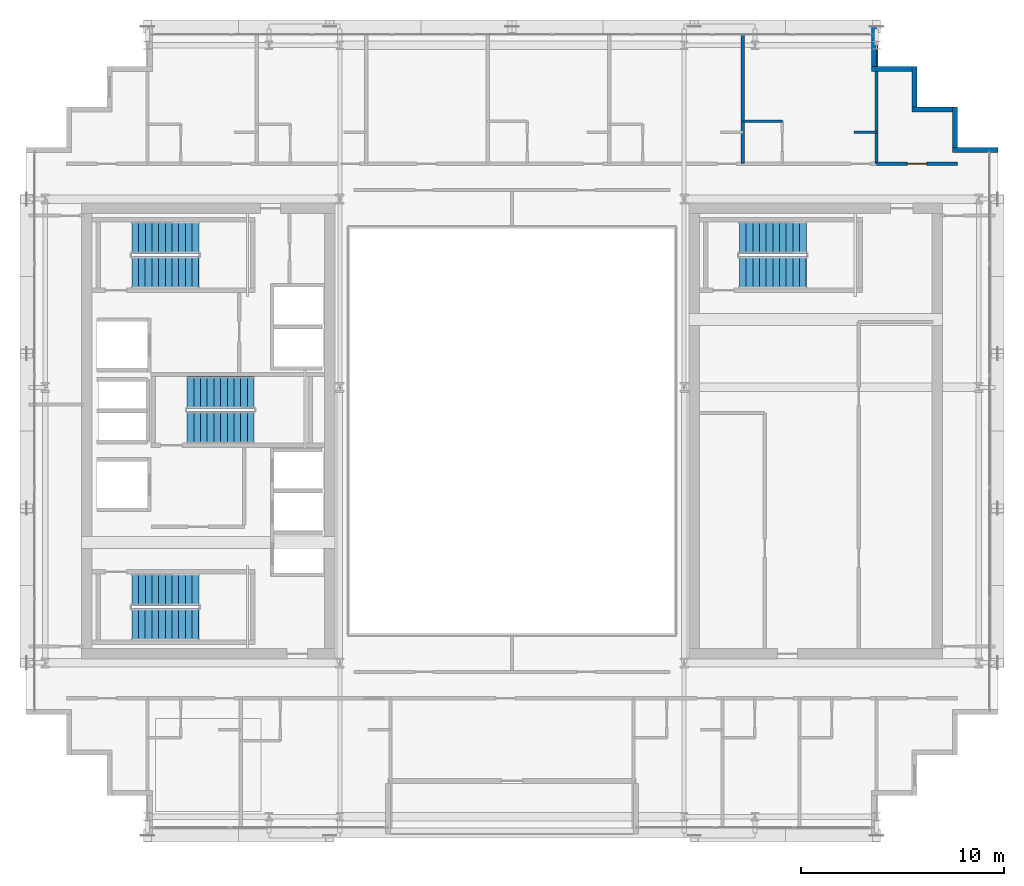
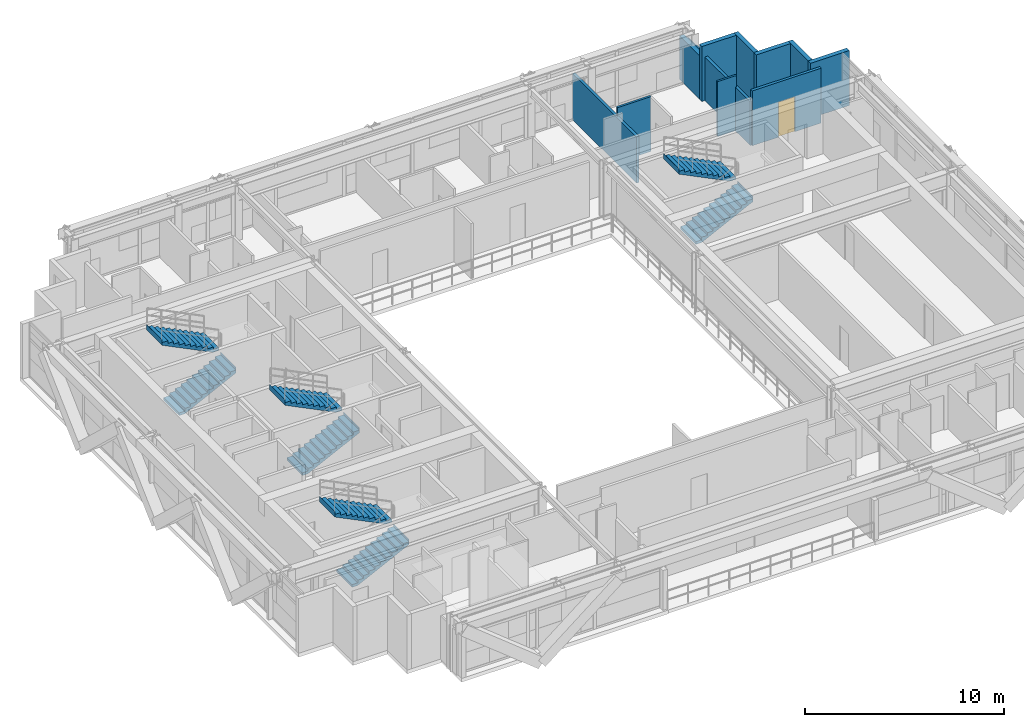
# One storey, part 28 of 32: 11 walls, 8 stair flights, 1 door, 1 opening, 4 elements without a shape of their own.
"""IFC4 building model written with IfcOpenShell, lengths in metres."""

from ifc_helpers import new_model, si_unit, direction, frame, frame_2d, origin, place, context, subcontext, project, spatial, polyline, rectangle, outline, extrude, source, transform, mapped, material, layer, layer_set, type_object, element, fill, aggregate, save


model = new_model("IFC4")

# Units and contexts
model_context = context("Model", 3, precision=1e-05, world=origin(), true_north=direction((0.0, 1.0)))
body_context = subcontext(model_context, "Body", "Model", "MODEL_VIEW")
ifc_project = project(units=[si_unit("LENGTHUNIT", "METRE"), si_unit("AREAUNIT", "SQUARE_METRE"), si_unit("VOLUMEUNIT", "CUBIC_METRE"), si_unit("PLANEANGLEUNIT", "RADIAN"), si_unit("MASSUNIT", "GRAM", prefix="KILO")], contexts=[model_context])

# Site, building, storey
site_placement = place(None, origin())
site = spatial("IfcSite", under=ifc_project, at=site_placement, CompositionType="ELEMENT")
building_placement = place(site_placement, origin())
building = spatial("IfcBuilding", under=site, at=building_placement, Name="Ocotamira Hotel", CompositionType="ELEMENT")
storey_placement = place(building_placement, frame((0.0, 0.0, 206.39990234375)))
storey = spatial("IfcBuildingStorey", under=building, at=storey_placement, Name="L52", CompositionType="ELEMENT", Elevation=206.39990234375)

# Walls
ifc_material_1 = material(Name="Precast concrete C45/55", Category="concrete")
ifc_layer_1 = layer(ifc_material_1, 0.25)
ifc_layer_set_1 = layer_set([ifc_layer_1], Name="Precast concrete C45/55")
wall_type_1 = type_object("IfcWallType", Name="WL-EXT-SER-250", PredefinedType="SOLIDWALL", material=ifc_layer_set_1)
wall_1_placement = place(storey_placement, frame((56.0, 39.875, 0.0), z_axis=(0.0, 0.0, 1.0), x_axis=(-1.0, 0.0, 0.0)))
element("IfcWall", 1, at=wall_1_placement, inside=storey, type_object=wall_type_1, Name="L52 Serrated Corner Wall 07", PredefinedType="SOLIDWALL", context=body_context, shape_type="SweptSolid", body=[
    extrude(rectangle(XDim=2.25, YDim=0.25, at=frame_2d((1.125, 0.0))), origin(), (0.0, 0.0, 1.0), 3.3701171875),
])
for number, where, z_axis, x_axis, name in (
    (2, (53.875, 40.0, 0.0), (0.0, 0.0, 1.0), (0.0, 1.0, 0.0), "L52 Serrated Corner Wall 08"),
    (3, (53.75, 41.875, 0.0), (0.0, 0.0, 1.0), (-1.0, 0.0, 0.0), "L52 Serrated Corner Wall 09"),
    (4, (51.875, 42.0, 0.0), (0.0, 0.0, 1.0), (0.0, 1.0, 0.0), "L52 Serrated Corner Wall 10"),
    (5, (51.75, 43.875, 0.0), (0.0, 0.0, 1.0), (-1.0, 0.0, 0.0), "L52 Serrated Corner Wall 11"),
):
    element("IfcWall", number, at=place(storey_placement, frame(where, z_axis=z_axis, x_axis=x_axis)), inside=storey, type_object=wall_type_1, Name=name, PredefinedType="SOLIDWALL", context=body_context, shape_type="SweptSolid", body=[
        extrude(rectangle(XDim=2.0, YDim=0.25, at=frame_2d((1.0, 0.0))), origin(), (0.0, 0.0, 1.0), 3.3701171875),
    ])
wall_2_placement = place(storey_placement, frame((49.875, 44.0, 0.0), z_axis=(0.0, 0.0, 1.0), x_axis=(0.0, 1.0, 0.0)))
element("IfcWall", 6, at=wall_2_placement, inside=storey, type_object=wall_type_1, Name="L52 Serrated Corner Wall 12", PredefinedType="SOLIDWALL", context=body_context, shape_type="SweptSolid", body=[
    extrude(rectangle(XDim=2.0, YDim=0.25, at=frame_2d((1.0, 0.0))), origin(), (0.0, 0.0, 1.0), 2.677001953125),
])

# Wall, opening, door
ifc_material_2 = material(Name="Acoustic double-layer fire gypsum board partition", Category="gypsum")
ifc_layer_2 = layer(ifc_material_2, 0.159912109375)
ifc_layer_set_2 = layer_set([ifc_layer_2], Name="Acoustic double-layer fire gypsum board partition")
wall_type_2 = type_object("IfcWallType", Name="WL-FIRE-160", PredefinedType="PARTITIONING", material=ifc_layer_set_2)
wall_3_placement = place(storey_placement, frame((50.0, 39.199951171875, 0.0), z_axis=(0.0, 0.0, 1.0), x_axis=(1.0, 0.0, 0.0)))
wall_3 = element("IfcWall", 7, at=wall_3_placement, inside=storey, type_object=wall_type_2, Name="L52 Interior Wall PW-L52-Z3E-CNE-CW", PredefinedType="PARTITIONING", context=body_context, shape_type="SweptSolid", body=[
    extrude(rectangle(XDim=4.0, YDim=0.159912109375, at=frame_2d((2.0, 0.0))), origin(), (0.0, 0.0, 1.0), 3.3701171875),
])
opening_placement = place(wall_3_placement, frame((1.52001953125, 0.0, 0.0)))
opening = element("IfcOpeningElement", 8, at=opening_placement, cuts=wall_3, Name="Opening D-SV4", PredefinedType="OPENING", context=body_context, shape_type="SweptSolid", body=[
    extrude(rectangle(XDim=0.9599609375, YDim=2.14990234375, at=frame_2d((0.47998046875, 1.074951171875))), frame((0.0, 0.08984375, 0.0), z_axis=(0.0, -1.0, 0.0), x_axis=(1.0, 0.0, 0.0)), (0.0, 0.0, 1.0), 0.179931640625),
])
ifc_material_3 = material(Name="Fire-rated accessible walnut salon door", Category="wood")
door_type = type_object("IfcDoorType", Name="DR-SERV-960", OperationType="NOTDEFINED", PredefinedType="DOOR", material=ifc_material_3)
shared_shape_1 = source(origin(), body_context, "Body", "SweptSolid", [
    extrude(rectangle(XDim=0.9599609375, YDim=2.14990234375, at=frame_2d((0.47998046875, 1.074951171875))), frame((0.0, 0.02490234375, 0.0), z_axis=(0.0, -1.0, 0.0), x_axis=(1.0, 0.0, 0.0)), (0.0, 0.0, 1.0), 0.050048828125),
])
door_placement = place(opening_placement, origin())
door = element("IfcDoor", 9, at=door_placement, inside=storey, type_object=door_type, Name="L52 Door ID-L52-Z3E-CNE-CD [ID-L52-Z3E-CNE-CD]", OperationType="SINGLE_SWING_LEFT", OverallHeight=2.14990234375, OverallWidth=0.9599609375, PredefinedType="DOOR", context=body_context, shape_type="MappedRepresentation", body=[
    mapped(shared_shape_1, transform((0.0, 0.0, 0.0), scale=1.0)),
])
fill(opening, door)

# Walls
ifc_material_4 = material(Name="Moisture-resistant en-suite tile and gypsum partition", Category="gypsum")
ifc_layer_3 = layer(ifc_material_4, 0.1201171875)
ifc_layer_set_3 = layer_set([ifc_layer_3], Name="Moisture-resistant en-suite tile and gypsum partition")
wall_type_3 = type_object("IfcWallType", Name="WL-PART-120", PredefinedType="PARTITIONING", material=ifc_layer_set_3)
wall_4_placement = place(storey_placement, frame((43.39990234375, 41.300048828125, 0.0), z_axis=(0.0, 0.0, 1.0), x_axis=(1.0, 0.0, 0.0)))
element("IfcWall", 10, at=wall_4_placement, inside=storey, type_object=wall_type_3, Name="L52 Interior Wall PW-L52-Z3EN-BAN6", PredefinedType="PARTITIONING", context=body_context, shape_type="SweptSolid", body=[
    extrude(rectangle(XDim=1.9501953125, YDim=0.1201171875, at=frame_2d((0.97509765625, 0.0))), origin(), (0.0, 0.0, 1.0), 3.3701171875),
])
wall_5_placement = place(storey_placement, frame((48.89990234375, 40.75, 0.0), z_axis=(0.0, 0.0, 1.0), x_axis=(1.0, 0.0, 0.0)))
element("IfcWall", 11, at=wall_5_placement, inside=storey, type_object=wall_type_3, Name="L52 Interior Wall PW-L52-Z3EN-DRN6", PredefinedType="PARTITIONING", context=body_context, shape_type="SweptSolid", body=[
    extrude(rectangle(XDim=1.10009765625, YDim=0.1201171875, at=frame_2d((0.550048828125, 0.0))), origin(), (0.0, 0.0, 1.0), 3.3701171875),
])
ifc_material_5 = material(Name="Acoustic double-stud hospitality gypsum partition", Category="gypsum")
ifc_layer_4 = layer(ifc_material_5, 0.159912109375)
ifc_layer_set_4 = layer_set([ifc_layer_4], Name="Acoustic double-stud hospitality gypsum partition")
wall_type_4 = type_object("IfcWallType", Name="WL-PART-160", PredefinedType="PARTITIONING", material=ifc_layer_set_4)
wall_6_placement = place(storey_placement, frame((50.0, 39.199951171875, 0.0), z_axis=(0.0, 0.0, 1.0), x_axis=(0.0, 1.0, 0.0)))
element("IfcWall", 12, at=wall_6_placement, inside=storey, type_object=wall_type_4, Name="L52 Interior Wall PW-L52-Z3EN-PWEND", PredefinedType="PARTITIONING", context=body_context, shape_type="SweptSolid", body=[
    extrude(rectangle(XDim=6.43994140625, YDim=0.159912109375, at=frame_2d((3.219970703125, 0.0))), origin(), (0.0, 0.0, 1.0), 2.677001953125),
])
wall_7_placement = place(storey_placement, frame((43.39990234375, 39.199951171875, 0.0), z_axis=(0.0, 0.0, 1.0), x_axis=(0.0, 1.0, 0.0)))
element("IfcWall", 13, at=wall_7_placement, inside=storey, type_object=wall_type_4, Name="L52 Interior Wall PW-L52-Z3EN-PW5", PredefinedType="PARTITIONING", context=body_context, shape_type="SweptSolid", body=[
    extrude(rectangle(XDim=6.43994140625, YDim=0.159912109375, at=frame_2d((3.219970703125, 0.0))), origin(), (0.0, 0.0, 1.0), 2.8330078125),
])

# Stair, stair flights
ifc_material_6 = material(Name="Concrete C40/50", Category="concrete")
stair_type = type_object("IfcStairType", Name="ST-CORE-1560", PredefinedType="HALF_TURN_STAIR", material=ifc_material_6)
stair_1_placement = place(storey_placement, origin())
stair_1 = element("IfcStair", 14, at=stair_1_placement, inside=storey, type_object=stair_type, Name="L52 Exit Stair ST-1", PredefinedType="HALF_TURN_STAIR")
stair_flight_type = type_object("IfcStairFlightType", Name="STF-CORE-1560", PredefinedType="STRAIGHT", material=ifc_material_6)
shared_shape_2 = source(origin(), body_context, "Body", "SweptSolid", [
    extrude(outline(polyline([(-0.00390625, 0.0), (-0.00390625, 0.16357421875), (0.330078125, 0.16357421875), (0.330078125, 0.327392578125), (0.659912109375, 0.327392578125), (0.659912109375, 0.490966796875), (0.989990234375, 0.490966796875), (0.989990234375, 0.654541015625), (1.320068359375, 0.654541015625), (1.320068359375, 0.818115234375), (1.64990234375, 0.818115234375), (1.64990234375, 0.98193359375), (1.97998046875, 0.98193359375), (1.97998046875, 1.1455078125), (2.31005859375, 1.1455078125), (2.31005859375, 1.30908203125), (2.639892578125, 1.30908203125), (2.639892578125, 1.47265625), (2.969970703125, 1.47265625), (2.969970703125, 1.636474609375), (3.300048828125, 1.636474609375), (3.300048828125, 1.800048828125), (3.303955078125, 1.800048828125), (3.303955078125, 1.468994140625), (0.33740234375, 0.0), (-0.00390625, 0.0)])), frame((0.0, 0.780029296875, 0.0), z_axis=(0.0, -1.0, 0.0), x_axis=(1.0, 0.0, 0.0)), (0.0, 0.0, 1.0), 1.56005859375),
])
stair_flight_1_placement = place(storey_placement, frame((13.22998046875, 16.449951171875, 0.0), z_axis=(0.0, 0.0, 1.0), x_axis=(1.0, 0.0, 0.0)))
stair_flight_1 = element("IfcStairFlight", 15, at=stair_flight_1_placement, type_object=stair_flight_type, Name="ST-1 flight 1", NumberOfRisers=11, NumberOfTreads=10, PredefinedType="STRAIGHT", RiserHeight=0.163636364, TreadLength=0.33, context=body_context, shape_type="MappedRepresentation", body=[
    mapped(shared_shape_2, transform((0.0, 0.0, 0.0), scale=1.0)),
])
stair_flight_2_placement = place(storey_placement, frame((16.530029296875, 18.169921875, 1.800048828125), z_axis=(0.0, 0.0, 1.0), x_axis=(-1.0, 0.0, 0.0)))
stair_flight_2 = element("IfcStairFlight", 16, at=stair_flight_2_placement, type_object=stair_flight_type, Name="ST-1 flight 2", NumberOfRisers=11, NumberOfTreads=10, PredefinedType="STRAIGHT", RiserHeight=0.163636364, TreadLength=0.33, context=body_context, shape_type="MappedRepresentation", body=[
    mapped(shared_shape_2, transform((0.0, 0.0, 0.0), scale=1.0)),
])
aggregate(stair_1, [stair_flight_1, stair_flight_2])

stair_2_placement = place(storey_placement, origin())
stair_2 = element("IfcStair", 17, at=stair_2_placement, inside=storey, type_object=stair_type, Name="L52 Exit Stair ST-2", PredefinedType="HALF_TURN_STAIR")
stair_flight_3_placement = place(storey_placement, frame((13.22998046875, 33.830078125, 0.0), z_axis=(0.0, 0.0, 1.0), x_axis=(1.0, 0.0, 0.0)))
stair_flight_3 = element("IfcStairFlight", 18, at=stair_flight_3_placement, type_object=stair_flight_type, Name="ST-2 flight 1", NumberOfRisers=11, NumberOfTreads=10, PredefinedType="STRAIGHT", RiserHeight=0.163636364, TreadLength=0.33, context=body_context, shape_type="MappedRepresentation", body=[
    mapped(shared_shape_2, transform((0.0, 0.0, 0.0), scale=1.0)),
])
stair_flight_4_placement = place(storey_placement, frame((16.530029296875, 35.550048828125, 1.800048828125), z_axis=(0.0, 0.0, 1.0), x_axis=(-1.0, 0.0, 0.0)))
stair_flight_4 = element("IfcStairFlight", 19, at=stair_flight_4_placement, type_object=stair_flight_type, Name="ST-2 flight 2", NumberOfRisers=11, NumberOfTreads=10, PredefinedType="STRAIGHT", RiserHeight=0.163636364, TreadLength=0.33, context=body_context, shape_type="MappedRepresentation", body=[
    mapped(shared_shape_2, transform((0.0, 0.0, 0.0), scale=1.0)),
])
aggregate(stair_2, [stair_flight_3, stair_flight_4])

stair_3_placement = place(storey_placement, origin())
stair_3 = element("IfcStair", 20, at=stair_3_placement, inside=storey, type_object=stair_type, Name="L52 Exit Stair ST-3", PredefinedType="HALF_TURN_STAIR")
stair_flight_5_placement = place(storey_placement, frame((15.9599609375, 26.179931640625, 0.0), z_axis=(0.0, 0.0, 1.0), x_axis=(1.0, 0.0, 0.0)))
stair_flight_5 = element("IfcStairFlight", 21, at=stair_flight_5_placement, type_object=stair_flight_type, Name="ST-3 flight 1", NumberOfRisers=11, NumberOfTreads=10, PredefinedType="STRAIGHT", RiserHeight=0.163636364, TreadLength=0.33, context=body_context, shape_type="MappedRepresentation", body=[
    mapped(shared_shape_2, transform((0.0, 0.0, 0.0), scale=1.0)),
])
stair_flight_6_placement = place(storey_placement, frame((19.260009765625, 27.89990234375, 1.800048828125), z_axis=(0.0, 0.0, 1.0), x_axis=(-1.0, 0.0, 0.0)))
stair_flight_6 = element("IfcStairFlight", 22, at=stair_flight_6_placement, type_object=stair_flight_type, Name="ST-3 flight 2", NumberOfRisers=11, NumberOfTreads=10, PredefinedType="STRAIGHT", RiserHeight=0.163636364, TreadLength=0.33, context=body_context, shape_type="MappedRepresentation", body=[
    mapped(shared_shape_2, transform((0.0, 0.0, 0.0), scale=1.0)),
])
aggregate(stair_3, [stair_flight_5, stair_flight_6])

stair_4_placement = place(storey_placement, origin())
stair_4 = element("IfcStair", 23, at=stair_4_placement, inside=storey, type_object=stair_type, Name="L52 Exit Stair ST-4", PredefinedType="HALF_TURN_STAIR")
stair_flight_7_placement = place(storey_placement, frame((43.22998046875, 33.830078125, 0.0), z_axis=(0.0, 0.0, 1.0), x_axis=(1.0, 0.0, 0.0)))
stair_flight_7 = element("IfcStairFlight", 24, at=stair_flight_7_placement, type_object=stair_flight_type, Name="ST-4 flight 1", NumberOfRisers=11, NumberOfTreads=10, PredefinedType="STRAIGHT", RiserHeight=0.163636364, TreadLength=0.33, context=body_context, shape_type="MappedRepresentation", body=[
    mapped(shared_shape_2, transform((0.0, 0.0, 0.0), scale=1.0)),
])
stair_flight_8_placement = place(storey_placement, frame((46.530029296875, 35.550048828125, 1.800048828125), z_axis=(0.0, 0.0, 1.0), x_axis=(-1.0, 0.0, 0.0)))
stair_flight_8 = element("IfcStairFlight", 25, at=stair_flight_8_placement, type_object=stair_flight_type, Name="ST-4 flight 2", NumberOfRisers=11, NumberOfTreads=10, PredefinedType="STRAIGHT", RiserHeight=0.163636364, TreadLength=0.33, context=body_context, shape_type="MappedRepresentation", body=[
    mapped(shared_shape_2, transform((0.0, 0.0, 0.0), scale=1.0)),
])
aggregate(stair_4, [stair_flight_7, stair_flight_8])

save(model, "model.ifc")
